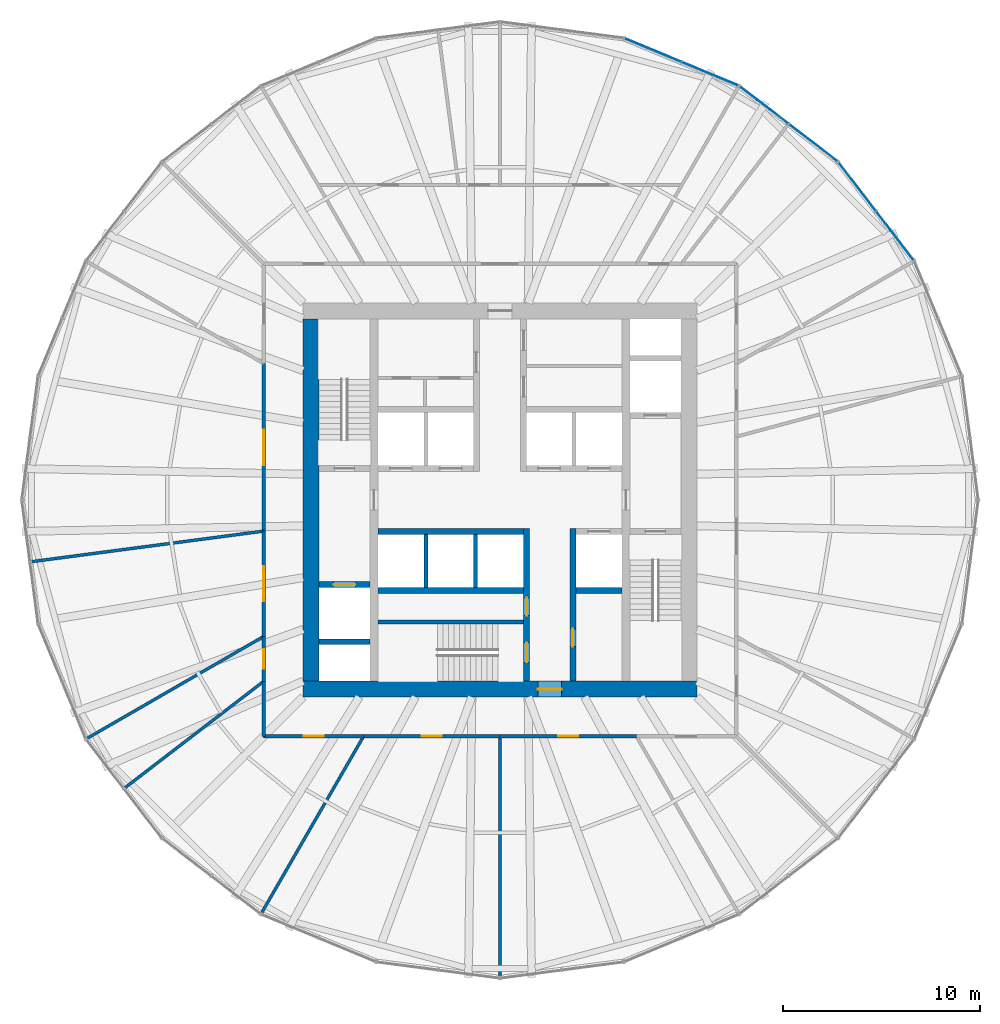
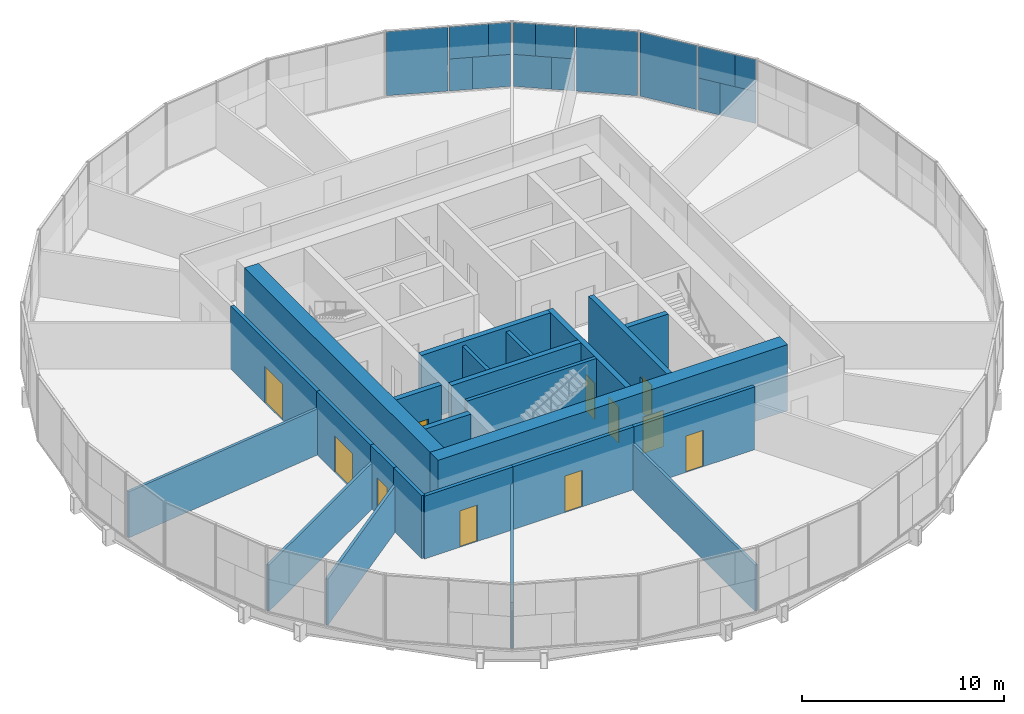
# One storey, part 10 of 13: 24 walls, 15 plates, 11 doors, 11 openings, 3 elements without a shape of their own.
"""IFC4 building model written with IfcOpenShell, lengths in metres."""

from ifc_helpers import new_model, si_unit, direction, frame, frame_2d, origin, origin_2d, place, context, subcontext, project, spatial, rectangle, extrude, material, layer, layer_set, type_object, element, fill, aggregate, save


model = new_model("IFC4")

# Units and contexts
model_context = context("Model", 3, precision=1e-05, world=origin(), true_north=direction((0.0, 1.0)))
body_context = subcontext(model_context, "Body", "Model", "MODEL_VIEW")
ifc_project = project(units=[si_unit("LENGTHUNIT", "METRE"), si_unit("AREAUNIT", "SQUARE_METRE"), si_unit("VOLUMEUNIT", "CUBIC_METRE"), si_unit("PLANEANGLEUNIT", "RADIAN"), si_unit("MASSUNIT", "GRAM", prefix="KILO")], contexts=[model_context])

# Site, building, storey
site_placement = place(None, origin())
site = spatial("IfcSite", under=ifc_project, at=site_placement, CompositionType="ELEMENT")
building_placement = place(site_placement, origin())
building = spatial("IfcBuilding", under=site, at=building_placement, Name="Golbaran Civic Tower", CompositionType="ELEMENT")
storey_placement = place(building_placement, frame((0.0, 0.0, 81.0)))
storey = spatial("IfcBuildingStorey", under=building, at=storey_placement, Name="L19", CompositionType="ELEMENT", Elevation=81.0)

# Curtain wall, plates
ifc_material_1 = material(Name="Aluminium and glass", Category="aluminium")
curtain_wall_type = type_object("IfcCurtainWallType", Name="INNER SKIN CURTAIN WALL", PredefinedType="NOTDEFINED", material=ifc_material_1)
curtain_wall_1_placement = place(storey_placement, origin())
curtain_wall_1 = element("IfcCurtainWall", 1, at=curtain_wall_1_placement, inside=storey, type_object=curtain_wall_type, Name="Inner skin L19 facet 3 CW1", ObjectType="INNER SKIN", PredefinedType="USERDEFINED")
ifc_material_2 = material(Name="Clear insulating glass", Category="glass")
ifc_layer_1 = layer(ifc_material_2, 0.031982421875, Name="Clear insulating glass")
ifc_layer_set_1 = layer_set([ifc_layer_1], Name="Clear insulating glass")
plate_type_1 = type_object("IfcPlateType", Name="INNER SKIN CURTAIN WALL GLAZED PANEL", PredefinedType="CURTAIN_PANEL", material=ifc_layer_set_1)
plate_1_placement = place(storey_placement, frame((19.480712890625, 14.171630859375, 0.06494140625), z_axis=(0.0, 0.0, 1.0), x_axis=(-0.608761429023, 0.793353340281, 0.0)))
plate_1 = element("IfcPlate", 2, at=plate_1_placement, type_object=plate_type_1, Name="CW1 panel 1.1 part 2", PredefinedType="CURTAIN_PANEL", context=body_context, shape_type="SweptSolid", body=[
    extrude(rectangle(XDim=1.1669921875, YDim=0.031982421875, at=origin_2d()), origin(), (0.0, 0.0, 1.0), 1.93505859375),
])
plate_2_placement = place(storey_placement, frame((19.721435546875, 13.85791015625, 2.0), z_axis=(0.0, 0.0, 1.0), x_axis=(-0.608761429023, 0.793353340281, 0.0)))
plate_2 = element("IfcPlate", 3, at=plate_2_placement, type_object=plate_type_1, Name="CW1 panel 1.1 part 4", PredefinedType="CURTAIN_PANEL", context=body_context, shape_type="SweptSolid", body=[
    extrude(rectangle(XDim=1.9580078125, YDim=0.031982421875, at=origin_2d()), origin(), (0.0, 0.0, 1.0), 1.93505859375),
])
plate_3_placement = place(storey_placement, frame((18.150634765625, 15.905029296875, 0.06494140625), z_axis=(0.0, 0.0, 1.0), x_axis=(-0.608761429023, 0.793353340281, 0.0)))
plate_3 = element("IfcPlate", 4, at=plate_3_placement, type_object=plate_type_1, Name="CW1 panel 2.1", PredefinedType="CURTAIN_PANEL", context=body_context, shape_type="SweptSolid", body=[
    extrude(rectangle(XDim=3.072998046875, YDim=0.031982421875, at=origin_2d()), origin(), (0.0, 0.0, 1.0), 3.8701171875),
])

curtain_wall_2_placement = place(storey_placement, origin())
curtain_wall_2 = element("IfcCurtainWall", 5, at=curtain_wall_2_placement, inside=storey, type_object=curtain_wall_type, Name="Inner skin L19 facet 4 CW1", ObjectType="INNER SKIN", PredefinedType="USERDEFINED")
plate_4_placement = place(storey_placement, frame((15.905029296875, 18.150634765625, 0.06494140625), z_axis=(0.0, 0.0, 1.0), x_axis=(-0.793353340281, 0.608761429023, 0.0)))
plate_4 = element("IfcPlate", 6, at=plate_4_placement, type_object=plate_type_1, Name="CW1 panel 1.1", PredefinedType="CURTAIN_PANEL", context=body_context, shape_type="SweptSolid", body=[
    extrude(rectangle(XDim=3.072998046875, YDim=0.031982421875, at=origin_2d()), origin(), (0.0, 0.0, 1.0), 3.8701171875),
])
plate_5_placement = place(storey_placement, frame((14.171630859375, 19.480712890625, 0.06494140625), z_axis=(0.0, 0.0, 1.0), x_axis=(-0.793353340281, 0.608761429023, 0.0)))
plate_5 = element("IfcPlate", 7, at=plate_5_placement, type_object=plate_type_1, Name="CW1 panel 2.1 part 1", PredefinedType="CURTAIN_PANEL", context=body_context, shape_type="SweptSolid", body=[
    extrude(rectangle(XDim=1.1669921875, YDim=0.031982421875, at=origin_2d()), origin(), (0.0, 0.0, 1.0), 1.93505859375),
])
plate_6_placement = place(storey_placement, frame((13.85791015625, 19.721435546875, 2.0), z_axis=(0.0, 0.0, 1.0), x_axis=(-0.793353340281, 0.608761429023, 0.0)))
plate_6 = element("IfcPlate", 8, at=plate_6_placement, type_object=plate_type_1, Name="CW1 panel 2.1 part 3", PredefinedType="CURTAIN_PANEL", context=body_context, shape_type="SweptSolid", body=[
    extrude(rectangle(XDim=1.9580078125, YDim=0.031982421875, at=origin_2d()), origin(), (0.0, 0.0, 1.0), 1.93505859375),
])

curtain_wall_3_placement = place(storey_placement, origin())
curtain_wall_3 = element("IfcCurtainWall", 9, at=curtain_wall_3_placement, inside=storey, type_object=curtain_wall_type, Name="Inner skin L19 facet 5 CW1", ObjectType="INNER SKIN", PredefinedType="USERDEFINED")
plate_7_placement = place(storey_placement, frame((9.784912109375, 22.013427734375, 0.06494140625), z_axis=(0.0, 0.0, 1.0), x_axis=(-0.923879532478, 0.382683432446, 0.0)))
plate_7 = element("IfcPlate", 10, at=plate_7_placement, type_object=plate_type_1, Name="CW1 panel 1.1 part 2", PredefinedType="CURTAIN_PANEL", context=body_context, shape_type="SweptSolid", body=[
    extrude(rectangle(XDim=1.1669921875, YDim=0.031982421875, at=origin_2d()), origin(), (0.0, 0.0, 1.0), 1.93505859375),
])
plate_8_placement = place(storey_placement, frame((10.150390625, 21.862060546875, 2.0), z_axis=(0.0, 0.0, 1.0), x_axis=(-0.923879532478, 0.382683432446, 0.0)))
plate_8 = element("IfcPlate", 11, at=plate_8_placement, type_object=plate_type_1, Name="CW1 panel 1.1 part 4", PredefinedType="CURTAIN_PANEL", context=body_context, shape_type="SweptSolid", body=[
    extrude(rectangle(XDim=1.9580078125, YDim=0.031982421875, at=origin_2d()), origin(), (0.0, 0.0, 1.0), 1.93505859375),
])
plate_9_placement = place(storey_placement, frame((7.766357421875, 22.849365234375, 0.06494140625), z_axis=(0.0, 0.0, 1.0), x_axis=(-0.923879532478, 0.382683432446, 0.0)))
plate_9 = element("IfcPlate", 12, at=plate_9_placement, type_object=plate_type_1, Name="CW1 panel 2.1", PredefinedType="CURTAIN_PANEL", context=body_context, shape_type="SweptSolid", body=[
    extrude(rectangle(XDim=3.072998046875, YDim=0.031982421875, at=origin_2d()), origin(), (0.0, 0.0, 1.0), 3.8701171875),
])

# Plate
ifc_material_3 = material(Name="Aluminium faced opaque infill panel", Category="aluminium")
ifc_layer_2 = layer(ifc_material_3, 0.031982421875, Name="Aluminium faced opaque infill panel")
ifc_layer_set_2 = layer_set([ifc_layer_2], Name="Aluminium faced opaque infill panel")
plate_type_2 = type_object("IfcPlateType", Name="INNER SKIN CURTAIN WALL OPAQUE INFILL PANEL", PredefinedType="CURTAIN_PANEL", material=ifc_layer_set_2)
plate_10_placement = place(storey_placement, frame((20.416015625, 12.95263671875, 0.06494140625), z_axis=(0.0, 0.0, 1.0), x_axis=(-0.608761429023, 0.793353340281, 0.0)))
plate_10 = element("IfcPlate", 13, at=plate_10_placement, type_object=plate_type_2, Name="CW1 infill panel 1.1 part 1", PredefinedType="CURTAIN_PANEL", context=body_context, shape_type="SweptSolid", body=[
    extrude(rectangle(XDim=1.906005859375, YDim=0.031982421875, at=origin_2d()), origin(), (0.0, 0.0, 1.0), 1.93505859375),
])

plate_11_placement = place(storey_placement, frame((20.65673828125, 12.638916015625, 2.0), z_axis=(0.0, 0.0, 1.0), x_axis=(-0.608761429023, 0.793353340281, 0.0)))
plate_11 = element("IfcPlate", 14, at=plate_11_placement, type_object=plate_type_2, Name="CW1 infill panel 1.1 part 3", PredefinedType="CURTAIN_PANEL", context=body_context, shape_type="SweptSolid", body=[
    extrude(rectangle(XDim=1.114990234375, YDim=0.031982421875, at=origin_2d()), origin(), (0.0, 0.0, 1.0), 1.93505859375),
])

aggregate(curtain_wall_1, [plate_10, plate_1, plate_11, plate_2, plate_3])

plate_12_placement = place(storey_placement, frame((12.95263671875, 20.416015625, 0.06494140625), z_axis=(0.0, 0.0, 1.0), x_axis=(-0.793353340281, 0.608761429023, 0.0)))
plate_12 = element("IfcPlate", 15, at=plate_12_placement, type_object=plate_type_2, Name="CW1 infill panel 2.1 part 2", PredefinedType="CURTAIN_PANEL", context=body_context, shape_type="SweptSolid", body=[
    extrude(rectangle(XDim=1.906005859375, YDim=0.031982421875, at=origin_2d()), origin(), (0.0, 0.0, 1.0), 1.93505859375),
])

plate_13_placement = place(storey_placement, frame((12.638916015625, 20.65673828125, 2.0), z_axis=(0.0, 0.0, 1.0), x_axis=(-0.793353340281, 0.608761429023, 0.0)))
plate_13 = element("IfcPlate", 16, at=plate_13_placement, type_object=plate_type_2, Name="CW1 infill panel 2.1 part 4", PredefinedType="CURTAIN_PANEL", context=body_context, shape_type="SweptSolid", body=[
    extrude(rectangle(XDim=1.114990234375, YDim=0.031982421875, at=origin_2d()), origin(), (0.0, 0.0, 1.0), 1.93505859375),
])

aggregate(curtain_wall_2, [plate_4, plate_5, plate_12, plate_6, plate_13])

plate_14_placement = place(storey_placement, frame((11.20458984375, 21.42529296875, 0.06494140625), z_axis=(0.0, 0.0, 1.0), x_axis=(-0.923879532478, 0.382683432446, 0.0)))
plate_14 = element("IfcPlate", 17, at=plate_14_placement, type_object=plate_type_2, Name="CW1 infill panel 1.1 part 1", PredefinedType="CURTAIN_PANEL", context=body_context, shape_type="SweptSolid", body=[
    extrude(rectangle(XDim=1.906005859375, YDim=0.031982421875, at=origin_2d()), origin(), (0.0, 0.0, 1.0), 1.93505859375),
])

plate_15_placement = place(storey_placement, frame((11.56982421875, 21.27392578125, 2.0), z_axis=(0.0, 0.0, 1.0), x_axis=(-0.923879532478, 0.382683432446, 0.0)))
plate_15 = element("IfcPlate", 18, at=plate_15_placement, type_object=plate_type_2, Name="CW1 infill panel 1.1 part 3", PredefinedType="CURTAIN_PANEL", context=body_context, shape_type="SweptSolid", body=[
    extrude(rectangle(XDim=1.114990234375, YDim=0.031982421875, at=origin_2d()), origin(), (0.0, 0.0, 1.0), 1.93505859375),
])

aggregate(curtain_wall_3, [plate_14, plate_7, plate_15, plate_8, plate_9])

# Wall, opening, door
ifc_material_4 = material(Name="Concrete C50/60", Category="concrete")
ifc_layer_3 = layer(ifc_material_4, 0.800048828125, Name="Concrete C50/60")
ifc_layer_set_3 = layer_set([ifc_layer_3], Name="Concrete C50/60")
wall_type_1 = type_object("IfcWallType", Name="CORE WALL CONCRETE 800", PredefinedType="SOLIDWALL", material=ifc_layer_set_3)
wall_1_placement = place(storey_placement, frame((10.0, -9.60009765625, 0.0), z_axis=(0.0, 0.0, 1.0), x_axis=(-1.0, 0.0, 0.0)))
wall_1 = element("IfcWall", 19, at=wall_1_placement, inside=storey, type_object=wall_type_1, Name="Core wall CS L19", PredefinedType="SOLIDWALL", context=body_context, shape_type="SweptSolid", body=[
    extrude(rectangle(XDim=20.0, YDim=0.800048828125, at=frame_2d((10.0, 0.0))), origin(), (0.0, 0.0, 1.0), 4.0),
])
opening_1_placement = place(wall_1_placement, frame((6.875, 0.0, 0.0)))
opening_1 = element("IfcOpeningElement", 20, at=opening_1_placement, cuts=wall_1, Name="Opening L19.CS", PredefinedType="OPENING", context=body_context, shape_type="SweptSolid", body=[
    extrude(rectangle(XDim=1.199951171875, YDim=2.199951171875, at=frame_2d((0.60009765625, 1.10009765625))), frame((0.0, 0.409912109375, 0.0), z_axis=(0.0, -1.0, 0.0), x_axis=(1.0, 0.0, 0.0)), (0.0, 0.0, 1.0), 0.820068359375),
])
ifc_material_5 = material(Name="Timber door set in steel frame", Category="steel")
door_type_1 = type_object("IfcDoorType", Name="CORE DOOR 1200x2200", OperationType="DOUBLE_DOOR_SINGLE_SWING", PredefinedType="DOOR", material=ifc_material_5)
door_1_placement = place(opening_1_placement, origin())
door_1 = element("IfcDoor", 21, at=door_1_placement, inside=storey, type_object=door_type_1, Name="Core door south", OperationType="DOUBLE_DOOR_SINGLE_SWING", OverallHeight=2.199951171875, OverallWidth=1.199951171875, PredefinedType="DOOR", context=body_context, shape_type="SweptSolid", body=[
    extrude(rectangle(XDim=1.199951171875, YDim=2.199951171875, at=frame_2d((0.60009765625, 1.10009765625))), frame((0.0, 0.02490234375, 0.0), z_axis=(0.0, -1.0, 0.0), x_axis=(1.0, 0.0, 0.0)), (0.0, 0.0, 1.0), 0.050048828125),
])
fill(opening_1, door_1)

# Wall
wall_2_placement = place(storey_placement, frame((-9.60009765625, 9.199951171875, 0.0), z_axis=(0.0, 0.0, 1.0), x_axis=(0.0, -1.0, 0.0)))
element("IfcWall", 22, at=wall_2_placement, inside=storey, type_object=wall_type_1, Name="Core wall CW L19", PredefinedType="SOLIDWALL", context=body_context, shape_type="SweptSolid", body=[
    extrude(rectangle(XDim=18.39990234375, YDim=0.800048828125, at=frame_2d((9.199951171875, 0.0))), origin(), (0.0, 0.0, 1.0), 4.0),
])

# Wall, opening, door
ifc_material_6 = material(Name="Gypsum board on steel studs, fire-rated", Category="steel")
ifc_layer_4 = layer(ifc_material_6, 0.199951171875, Name="Gypsum board on steel studs, fire-rated")
ifc_layer_set_4 = layer_set([ifc_layer_4], Name="Gypsum board on steel studs, fire-rated")
wall_type_2 = type_object("IfcWallType", Name="CORRIDOR WALL 200", PredefinedType="PARTITIONING", material=ifc_layer_set_4)
wall_3_placement = place(storey_placement, frame((-12.0, 6.92822265625, 0.0), z_axis=(0.0, 0.0, 1.0), x_axis=(0.0, -1.0, 0.0)))
wall_3 = element("IfcWall", 23, at=wall_3_placement, inside=storey, type_object=wall_type_2, Name="Corridor wall L19", PredefinedType="PARTITIONING", context=body_context, shape_type="SweptSolid", body=[
    extrude(rectangle(XDim=8.508056640625, YDim=0.199951171875, at=frame_2d((4.25390625, 0.0))), origin(), (0.0, 0.0, 1.0), 3.800048828125),
])
opening_2_placement = place(wall_3_placement, frame((3.35400390625, 0.0, 0.0)))
opening_2 = element("IfcOpeningElement", 24, at=opening_2_placement, cuts=wall_3, Name="Opening L19.11", PredefinedType="OPENING", context=body_context, shape_type="SweptSolid", body=[
    extrude(rectangle(XDim=1.800048828125, YDim=2.199951171875, at=frame_2d((0.89990234375, 1.10009765625))), frame((0.0, 0.10986328125, 0.0), z_axis=(0.0, -1.0, 0.0), x_axis=(1.0, 0.0, 0.0)), (0.0, 0.0, 1.0), 0.219970703125),
])
door_type_2 = type_object("IfcDoorType", Name="OFFICE DOUBLE DOOR 1800x2200", OperationType="DOUBLE_DOOR_SINGLE_SWING", PredefinedType="DOOR", material=ifc_material_5)
door_2_placement = place(opening_2_placement, origin())
door_2 = element("IfcDoor", 25, at=door_2_placement, inside=storey, type_object=door_type_2, Name="Open Office door L19", OperationType="DOUBLE_DOOR_SINGLE_SWING", OverallHeight=2.199951171875, OverallWidth=1.800048828125, PredefinedType="DOOR", context=body_context, shape_type="SweptSolid", body=[
    extrude(rectangle(XDim=1.800048828125, YDim=2.199951171875, at=frame_2d((0.89990234375, 1.10009765625))), frame((0.0, 0.02490234375, 0.0), z_axis=(0.0, -1.0, 0.0), x_axis=(1.0, 0.0, 0.0)), (0.0, 0.0, 1.0), 0.050048828125),
])
fill(opening_2, door_2)

wall_4_placement = place(storey_placement, frame((-12.0, -1.579833984375, 0.0), z_axis=(0.0, 0.0, 1.0), x_axis=(0.0, -1.0, 0.0)))
wall_4 = element("IfcWall", 26, at=wall_4_placement, inside=storey, type_object=wall_type_2, Name="Corridor wall L19", PredefinedType="PARTITIONING", context=body_context, shape_type="SweptSolid", body=[
    extrude(rectangle(XDim=5.348388671875, YDim=0.199951171875, at=frame_2d((2.67431640625, 0.0))), origin(), (0.0, 0.0, 1.0), 3.800048828125),
])
opening_3_placement = place(wall_4_placement, frame((1.774169921875, 0.0, 0.0)))
opening_3 = element("IfcOpeningElement", 27, at=opening_3_placement, cuts=wall_4, Name="Opening L19.12", PredefinedType="OPENING", context=body_context, shape_type="SweptSolid", body=[
    extrude(rectangle(XDim=1.800048828125, YDim=2.199951171875, at=frame_2d((0.89990234375, 1.10009765625))), frame((0.0, 0.10986328125, 0.0), z_axis=(0.0, -1.0, 0.0), x_axis=(1.0, 0.0, 0.0)), (0.0, 0.0, 1.0), 0.219970703125),
])
door_3_placement = place(opening_3_placement, origin())
door_3 = element("IfcDoor", 28, at=door_3_placement, inside=storey, type_object=door_type_2, Name="Open Office door L19", OperationType="DOUBLE_DOOR_SINGLE_SWING", OverallHeight=2.199951171875, OverallWidth=1.800048828125, PredefinedType="DOOR", context=body_context, shape_type="SweptSolid", body=[
    extrude(rectangle(XDim=1.800048828125, YDim=2.199951171875, at=frame_2d((0.89990234375, 1.10009765625))), frame((0.0, 0.02490234375, 0.0), z_axis=(0.0, -1.0, 0.0), x_axis=(1.0, 0.0, 0.0)), (0.0, 0.0, 1.0), 0.050048828125),
])
fill(opening_3, door_3)

wall_5_placement = place(storey_placement, frame((-12.0, -6.92822265625, 0.0), z_axis=(0.0, 0.0, 1.0), x_axis=(0.0, -1.0, 0.0)))
wall_5 = element("IfcWall", 29, at=wall_5_placement, inside=storey, type_object=wall_type_2, Name="Corridor wall L19", PredefinedType="PARTITIONING", context=body_context, shape_type="SweptSolid", body=[
    extrude(rectangle(XDim=2.27978515625, YDim=0.199951171875, at=frame_2d((1.139892578125, 0.0))), origin(), (0.0, 0.0, 1.0), 3.800048828125),
])
opening_4_placement = place(wall_5_placement, frame((0.639892578125, 0.0, 0.0)))
opening_4 = element("IfcOpeningElement", 30, at=opening_4_placement, cuts=wall_5, Name="Opening L19.13", PredefinedType="OPENING", context=body_context, shape_type="SweptSolid", body=[
    extrude(rectangle(XDim=1.0, YDim=2.199951171875, at=frame_2d((0.5, 1.10009765625))), frame((0.0, 0.10986328125, 0.0), z_axis=(0.0, -1.0, 0.0), x_axis=(1.0, 0.0, 0.0)), (0.0, 0.0, 1.0), 0.219970703125),
])
door_type_3 = type_object("IfcDoorType", Name="OFFICE DOOR 1000x2200", OperationType="SINGLE_SWING_LEFT", PredefinedType="DOOR", material=ifc_material_5)
door_4_placement = place(opening_4_placement, origin())
door_4 = element("IfcDoor", 31, at=door_4_placement, inside=storey, type_object=door_type_3, Name="Store door L19", OperationType="SINGLE_SWING_RIGHT", OverallHeight=2.199951171875, OverallWidth=1.0, PredefinedType="DOOR", context=body_context, shape_type="SweptSolid", body=[
    extrude(rectangle(XDim=1.0, YDim=2.199951171875, at=frame_2d((0.5, 1.10009765625))), frame((0.0, 0.02490234375, 0.0), z_axis=(0.0, -1.0, 0.0), x_axis=(1.0, 0.0, 0.0)), (0.0, 0.0, 1.0), 0.050048828125),
])
fill(opening_4, door_4)

# Wall
wall_6_placement = place(storey_placement, frame((-12.0, -9.2080078125, 0.0), z_axis=(0.0, 0.0, 1.0), x_axis=(0.0, -1.0, 0.0)))
element("IfcWall", 32, at=wall_6_placement, inside=storey, type_object=wall_type_2, Name="Corridor wall L19", PredefinedType="PARTITIONING", context=body_context, shape_type="SweptSolid", body=[
    extrude(rectangle(XDim=2.7919921875, YDim=0.199951171875, at=frame_2d((1.39599609375, 0.0))), origin(), (0.0, 0.0, 1.0), 3.800048828125),
])

# Wall, opening, door
wall_7_placement = place(storey_placement, frame((-12.0, -12.0, 0.0), z_axis=(0.0, 0.0, 1.0), x_axis=(1.0, 0.0, 0.0)))
wall_7 = element("IfcWall", 33, at=wall_7_placement, inside=storey, type_object=wall_type_2, Name="Corridor wall L19", PredefinedType="PARTITIONING", context=body_context, shape_type="SweptSolid", body=[
    extrude(rectangle(XDim=5.07177734375, YDim=0.199951171875, at=frame_2d((2.535888671875, 0.0))), origin(), (0.0, 0.0, 1.0), 3.800048828125),
])
opening_5_placement = place(wall_7_placement, frame((2.035888671875, 0.0, 0.0)))
opening_5 = element("IfcOpeningElement", 34, at=opening_5_placement, cuts=wall_7, Name="Opening L19.14", PredefinedType="OPENING", context=body_context, shape_type="SweptSolid", body=[
    extrude(rectangle(XDim=1.0, YDim=2.199951171875, at=frame_2d((0.5, 1.10009765625))), frame((0.0, 0.10986328125, 0.0), z_axis=(0.0, -1.0, 0.0), x_axis=(1.0, 0.0, 0.0)), (0.0, 0.0, 1.0), 0.219970703125),
])
door_5_placement = place(opening_5_placement, origin())
door_5 = element("IfcDoor", 35, at=door_5_placement, inside=storey, type_object=door_type_3, Name="Print and Copy Room door L19", OperationType="SINGLE_SWING_LEFT", OverallHeight=2.199951171875, OverallWidth=1.0, PredefinedType="DOOR", context=body_context, shape_type="SweptSolid", body=[
    extrude(rectangle(XDim=1.0, YDim=2.199951171875, at=frame_2d((0.5, 1.10009765625))), frame((0.0, 0.02490234375, 0.0), z_axis=(0.0, -1.0, 0.0), x_axis=(1.0, 0.0, 0.0)), (0.0, 0.0, 1.0), 0.050048828125),
])
fill(opening_5, door_5)

wall_8_placement = place(storey_placement, frame((-6.92822265625, -12.0, 0.0), z_axis=(0.0, 0.0, 1.0), x_axis=(1.0, 0.0, 0.0)))
wall_8 = element("IfcWall", 36, at=wall_8_placement, inside=storey, type_object=wall_type_2, Name="Corridor wall L19", PredefinedType="PARTITIONING", context=body_context, shape_type="SweptSolid", body=[
    extrude(rectangle(XDim=6.92822265625, YDim=0.199951171875, at=frame_2d((3.464111328125, 0.0))), origin(), (0.0, 0.0, 1.0), 3.800048828125),
])
opening_6_placement = place(wall_8_placement, frame((2.964111328125, 0.0, 0.0)))
opening_6 = element("IfcOpeningElement", 37, at=opening_6_placement, cuts=wall_8, Name="Opening L19.15", PredefinedType="OPENING", context=body_context, shape_type="SweptSolid", body=[
    extrude(rectangle(XDim=1.0, YDim=2.199951171875, at=frame_2d((0.5, 1.10009765625))), frame((0.0, 0.10986328125, 0.0), z_axis=(0.0, -1.0, 0.0), x_axis=(1.0, 0.0, 0.0)), (0.0, 0.0, 1.0), 0.219970703125),
])
door_6_placement = place(opening_6_placement, origin())
door_6 = element("IfcDoor", 38, at=door_6_placement, inside=storey, type_object=door_type_3, Name="Meeting Room door L19", OperationType="SINGLE_SWING_LEFT", OverallHeight=2.199951171875, OverallWidth=1.0, PredefinedType="DOOR", context=body_context, shape_type="SweptSolid", body=[
    extrude(rectangle(XDim=1.0, YDim=2.199951171875, at=frame_2d((0.5, 1.10009765625))), frame((0.0, 0.02490234375, 0.0), z_axis=(0.0, -1.0, 0.0), x_axis=(1.0, 0.0, 0.0)), (0.0, 0.0, 1.0), 0.050048828125),
])
fill(opening_6, door_6)

wall_9_placement = place(storey_placement, frame((0.0, -12.0, 0.0), z_axis=(0.0, 0.0, 1.0), x_axis=(1.0, 0.0, 0.0)))
wall_9 = element("IfcWall", 39, at=wall_9_placement, inside=storey, type_object=wall_type_2, Name="Corridor wall L19", PredefinedType="PARTITIONING", context=body_context, shape_type="SweptSolid", body=[
    extrude(rectangle(XDim=6.92822265625, YDim=0.199951171875, at=frame_2d((3.464111328125, 0.0))), origin(), (0.0, 0.0, 1.0), 3.800048828125),
])
opening_7_placement = place(wall_9_placement, frame((2.964111328125, 0.0, 0.0)))
opening_7 = element("IfcOpeningElement", 40, at=opening_7_placement, cuts=wall_9, Name="Opening L19.16", PredefinedType="OPENING", context=body_context, shape_type="SweptSolid", body=[
    extrude(rectangle(XDim=1.0, YDim=2.199951171875, at=frame_2d((0.5, 1.10009765625))), frame((0.0, 0.10986328125, 0.0), z_axis=(0.0, -1.0, 0.0), x_axis=(1.0, 0.0, 0.0)), (0.0, 0.0, 1.0), 0.219970703125),
])
door_7_placement = place(opening_7_placement, origin())
door_7 = element("IfcDoor", 41, at=door_7_placement, inside=storey, type_object=door_type_3, Name="Interview Room door L19", OperationType="SINGLE_SWING_LEFT", OverallHeight=2.199951171875, OverallWidth=1.0, PredefinedType="DOOR", context=body_context, shape_type="SweptSolid", body=[
    extrude(rectangle(XDim=1.0, YDim=2.199951171875, at=frame_2d((0.5, 1.10009765625))), frame((0.0, 0.02490234375, 0.0), z_axis=(0.0, -1.0, 0.0), x_axis=(1.0, 0.0, 0.0)), (0.0, 0.0, 1.0), 0.050048828125),
])
fill(opening_7, door_7)

# Walls
ifc_material_7 = material(Name="Concrete block", Category="concrete")
ifc_layer_5 = layer(ifc_material_7, 0.199951171875, Name="Concrete block")
ifc_layer_set_5 = layer_set([ifc_layer_5], Name="Concrete block")
wall_type_3 = type_object("IfcWallType", Name="LIFT SEPARATOR WALL 200", PredefinedType="SOLIDWALL", material=ifc_layer_set_5)
for number, where, z_axis, x_axis, name in (
    (42, (-3.75, -1.75, 0.0), (0.0, 0.0, 1.0), (0.0, -1.0, 0.0), "Core partition SSW L19"),
    (43, (-1.25, -1.75, 0.0), (0.0, 0.0, 1.0), (0.0, -1.0, 0.0), "Core partition SSM L19"),
):
    element("IfcWall", number, at=place(storey_placement, frame(where, z_axis=z_axis, x_axis=x_axis)), inside=storey, type_object=wall_type_3, Name=name, PredefinedType="SOLIDWALL", context=body_context, shape_type="SweptSolid", body=[
        extrude(rectangle(XDim=2.699951171875, YDim=0.199951171875, at=frame_2d((1.35009765625, 0.0))), origin(), (0.0, 0.0, 1.0), 3.75),
    ])
ifc_material_8 = material(Name="Gypsum board on steel studs", Category="steel")
ifc_layer_6 = layer(ifc_material_8, 0.14990234375, Name="Gypsum board on steel studs")
ifc_layer_set_6 = layer_set([ifc_layer_6], Name="Gypsum board on steel studs")
wall_type_4 = type_object("IfcWallType", Name="OFFICE PARTITION 150", PredefinedType="PARTITIONING", material=ifc_layer_set_6)
wall_10_placement = place(storey_placement, frame((-12.0, -1.579833984375, 0.0), z_axis=(0.0, 0.0, 1.0), x_axis=(-0.991444996724, -0.130525164133, 0.0)))
element("IfcWall", 44, at=wall_10_placement, inside=storey, type_object=wall_type_4, Name="Partition 187.5 L19", PredefinedType="PARTITIONING", context=body_context, shape_type="SweptSolid", body=[
    extrude(rectangle(XDim=11.888671875, YDim=0.14990234375, at=frame_2d((5.9443359375, 0.0))), origin(), (0.0, 0.0, 1.0), 2.7900390625),
])
wall_11_placement = place(storey_placement, frame((-12.0, -6.92822265625, 0.0), z_axis=(0.0, 0.0, 1.0), x_axis=(-0.866023632182, -0.500003068493, 0.0)))
element("IfcWall", 45, at=wall_11_placement, inside=storey, type_object=wall_type_4, Name="Partition 210 L19", PredefinedType="PARTITIONING", context=body_context, shape_type="SweptSolid", body=[
    extrude(rectangle(XDim=10.3427734375, YDim=0.14990234375, at=frame_2d((5.17138671875, 0.0))), origin(), (0.0, 0.0, 1.0), 2.7900390625),
])
wall_12_placement = place(storey_placement, frame((-12.0, -9.2080078125, 0.0), z_axis=(0.0, 0.0, 1.0), x_axis=(-0.793356334848, -0.608757526406, 0.0)))
element("IfcWall", 46, at=wall_12_placement, inside=storey, type_object=wall_type_4, Name="Partition 217.5 L19", PredefinedType="PARTITIONING", context=body_context, shape_type="SweptSolid", body=[
    extrude(rectangle(XDim=8.866455078125, YDim=0.14990234375, at=frame_2d((4.43310546875, 0.0))), origin(), (0.0, 0.0, 1.0), 2.7900390625),
])
wall_13_placement = place(storey_placement, frame((-6.92822265625, -12.0, 0.0), z_axis=(0.0, 0.0, 1.0), x_axis=(-0.500003068493, -0.866023632182, 0.0)))
element("IfcWall", 47, at=wall_13_placement, inside=storey, type_object=wall_type_4, Name="Partition 240 L19", PredefinedType="PARTITIONING", context=body_context, shape_type="SweptSolid", body=[
    extrude(rectangle(XDim=10.3427734375, YDim=0.14990234375, at=frame_2d((5.17138671875, 0.0))), origin(), (0.0, 0.0, 1.0), 2.7900390625),
])
wall_14_placement = place(storey_placement, frame((0.0, -12.0, 0.0), z_axis=(0.0, 0.0, 1.0), x_axis=(0.0, -1.0, 0.0)))
element("IfcWall", 48, at=wall_14_placement, inside=storey, type_object=wall_type_4, Name="Partition 270 L19", PredefinedType="PARTITIONING", context=body_context, shape_type="SweptSolid", body=[
    extrude(rectangle(XDim=12.19921875, YDim=0.14990234375, at=frame_2d((6.099609375, 0.0))), origin(), (0.0, 0.0, 1.0), 2.7900390625),
])
ifc_layer_7 = layer(ifc_material_4, 0.199951171875, Name="Concrete C50/60")
ifc_layer_set_7 = layer_set([ifc_layer_7], Name="Concrete C50/60")
wall_type_5 = type_object("IfcWallType", Name="SHAFT WALL CONCRETE 200", PredefinedType="SOLIDWALL", material=ifc_layer_set_7)
wall_15_placement = place(storey_placement, frame((-6.199951171875, -6.199951171875, 0.0), z_axis=(0.0, 0.0, 1.0), x_axis=(1.0, 0.0, 0.0)))
element("IfcWall", 49, at=wall_15_placement, inside=storey, type_object=wall_type_5, Name="Core wall S3N L19", PredefinedType="SOLIDWALL", context=body_context, shape_type="SweptSolid", body=[
    extrude(rectangle(XDim=7.39990234375, YDim=0.199951171875, at=frame_2d((3.699951171875, 0.0))), origin(), (0.0, 0.0, 1.0), 4.0),
])
ifc_layer_8 = layer(ifc_material_4, 0.300048828125, Name="Concrete C50/60")
ifc_layer_set_8 = layer_set([ifc_layer_8], Name="Concrete C50/60")
wall_type_6 = type_object("IfcWallType", Name="SHAFT WALL CONCRETE 300", PredefinedType="SOLIDWALL", material=ifc_layer_set_8)
for number, where, z_axis, x_axis, name in (
    (50, (-6.199951171875, -1.60009765625, 0.0), (0.0, 0.0, 1.0), (1.0, 0.0, 0.0), "Core wall FSW L19"),
    (51, (-6.199951171875, -4.60009765625, 0.0), (0.0, 0.0, 1.0), (1.0, 0.0, 0.0), "Core wall BSW L19"),
):
    element("IfcWall", number, at=place(storey_placement, frame(where, z_axis=z_axis, x_axis=x_axis)), inside=storey, type_object=wall_type_6, Name=name, PredefinedType="SOLIDWALL", context=body_context, shape_type="SweptSolid", body=[
        extrude(rectangle(XDim=7.39990234375, YDim=0.300048828125, at=frame_2d((3.699951171875, 0.0))), origin(), (0.0, 0.0, 1.0), 4.0),
    ])
wall_16_placement = place(storey_placement, frame((3.85009765625, -4.60009765625, 0.0), z_axis=(0.0, 0.0, 1.0), x_axis=(1.0, 0.0, 0.0)))
element("IfcWall", 52, at=wall_16_placement, inside=storey, type_object=wall_type_6, Name="Core wall BSE L19", PredefinedType="SOLIDWALL", context=body_context, shape_type="SweptSolid", body=[
    extrude(rectangle(XDim=2.349853515625, YDim=0.300048828125, at=frame_2d((1.1748046875, 0.0))), origin(), (0.0, 0.0, 1.0), 4.0),
])

# Wall, openings, doors
wall_17_placement = place(storey_placement, frame((1.35009765625, -1.449951171875, 0.0), z_axis=(0.0, 0.0, 1.0), x_axis=(0.0, -1.0, 0.0)))
wall_17 = element("IfcWall", 53, at=wall_17_placement, inside=storey, type_object=wall_type_6, Name="Core wall PSW L19", PredefinedType="SOLIDWALL", context=body_context, shape_type="SweptSolid", body=[
    extrude(rectangle(XDim=7.75, YDim=0.300048828125, at=frame_2d((3.875, 0.0))), origin(), (0.0, 0.0, 1.0), 4.0),
])
opening_8_placement = place(wall_17_placement, frame((5.800048828125, 0.0, 0.0)))
opening_8 = element("IfcOpeningElement", 54, at=opening_8_placement, cuts=wall_17, Name="Opening L19.S3", PredefinedType="OPENING", context=body_context, shape_type="SweptSolid", body=[
    extrude(rectangle(XDim=1.0, YDim=2.199951171875, at=frame_2d((0.5, 1.10009765625))), frame((0.0, 0.159912109375, 0.0), z_axis=(0.0, -1.0, 0.0), x_axis=(1.0, 0.0, 0.0)), (0.0, 0.0, 1.0), 0.320068359375),
])
opening_9_placement = place(wall_17_placement, frame((3.52490234375, 0.0, 0.0)))
opening_9 = element("IfcOpeningElement", 55, at=opening_9_placement, cuts=wall_17, Name="Opening L19.RE", PredefinedType="OPENING", context=body_context, shape_type="SweptSolid", body=[
    extrude(rectangle(XDim=0.89990234375, YDim=2.199951171875, at=frame_2d((0.449951171875, 1.10009765625))), frame((0.0, 0.159912109375, 0.0), z_axis=(0.0, -1.0, 0.0), x_axis=(1.0, 0.0, 0.0)), (0.0, 0.0, 1.0), 0.320068359375),
])
door_type_4 = type_object("IfcDoorType", Name="RISER DOOR 900x2200", OperationType="SINGLE_SWING_LEFT", PredefinedType="DOOR", material=ifc_material_5)
door_8_placement = place(opening_9_placement, origin())
door_8 = element("IfcDoor", 56, at=door_8_placement, inside=storey, type_object=door_type_4, Name="Electrical riser door", OperationType="SINGLE_SWING_RIGHT", OverallHeight=2.199951171875, OverallWidth=0.89990234375, PredefinedType="DOOR", context=body_context, shape_type="SweptSolid", body=[
    extrude(rectangle(XDim=0.89990234375, YDim=2.199951171875, at=frame_2d((0.449951171875, 1.10009765625))), frame((0.0, 0.02490234375, 0.0), z_axis=(0.0, -1.0, 0.0), x_axis=(1.0, 0.0, 0.0)), (0.0, 0.0, 1.0), 0.050048828125),
])
fill(opening_9, door_8)
door_type_5 = type_object("IfcDoorType", Name="STAIR DOOR 1000x2200", OperationType="SINGLE_SWING_LEFT", PredefinedType="DOOR", material=ifc_material_5)
door_9_placement = place(opening_8_placement, origin())
door_9 = element("IfcDoor", 57, at=door_9_placement, inside=storey, type_object=door_type_5, Name="Stair S3 door", OperationType="SINGLE_SWING_RIGHT", OverallHeight=2.199951171875, OverallWidth=1.0, PredefinedType="DOOR", context=body_context, shape_type="SweptSolid", body=[
    extrude(rectangle(XDim=1.0, YDim=2.199951171875, at=frame_2d((0.5, 1.10009765625))), frame((0.0, 0.02490234375, 0.0), z_axis=(0.0, -1.0, 0.0), x_axis=(1.0, 0.0, 0.0)), (0.0, 0.0, 1.0), 0.050048828125),
])
fill(opening_8, door_9)

# Wall, opening, door
wall_18_placement = place(storey_placement, frame((3.699951171875, -1.449951171875, 0.0), z_axis=(0.0, 0.0, 1.0), x_axis=(0.0, -1.0, 0.0)))
wall_18 = element("IfcWall", 58, at=wall_18_placement, inside=storey, type_object=wall_type_6, Name="Core wall PSE L19", PredefinedType="SOLIDWALL", context=body_context, shape_type="SweptSolid", body=[
    extrude(rectangle(XDim=7.75, YDim=0.300048828125, at=frame_2d((3.875, 0.0))), origin(), (0.0, 0.0, 1.0), 4.0),
])
opening_10_placement = place(wall_18_placement, frame((5.10009765625, 0.0, 0.0)))
opening_10 = element("IfcOpeningElement", 59, at=opening_10_placement, cuts=wall_18, Name="Opening L19.RM", PredefinedType="OPENING", context=body_context, shape_type="SweptSolid", body=[
    extrude(rectangle(XDim=0.89990234375, YDim=2.199951171875, at=frame_2d((0.449951171875, 1.10009765625))), frame((0.0, 0.159912109375, 0.0), z_axis=(0.0, -1.0, 0.0), x_axis=(1.0, 0.0, 0.0)), (0.0, 0.0, 1.0), 0.320068359375),
])
door_10_placement = place(opening_10_placement, origin())
door_10 = element("IfcDoor", 60, at=door_10_placement, inside=storey, type_object=door_type_4, Name="Mechanical riser door", OperationType="SINGLE_SWING_RIGHT", OverallHeight=2.199951171875, OverallWidth=0.89990234375, PredefinedType="DOOR", context=body_context, shape_type="SweptSolid", body=[
    extrude(rectangle(XDim=0.89990234375, YDim=2.199951171875, at=frame_2d((0.449951171875, 1.10009765625))), frame((0.0, 0.02490234375, 0.0), z_axis=(0.0, -1.0, 0.0), x_axis=(1.0, 0.0, 0.0)), (0.0, 0.0, 1.0), 0.050048828125),
])
fill(opening_10, door_10)

wall_19_placement = place(storey_placement, frame((-9.199951171875, -4.300048828125, 0.0), z_axis=(0.0, 0.0, 1.0), x_axis=(1.0, 0.0, 0.0)))
wall_19 = element("IfcWall", 61, at=wall_19_placement, inside=storey, type_object=wall_type_6, Name="Core wall XW2 L19", PredefinedType="SOLIDWALL", context=body_context, shape_type="SweptSolid", body=[
    extrude(rectangle(XDim=2.599853515625, YDim=0.300048828125, at=frame_2d((1.2998046875, 0.0))), origin(), (0.0, 0.0, 1.0), 4.0),
])
opening_11_placement = place(wall_19_placement, frame((0.75, 0.0, 0.0)))
opening_11 = element("IfcOpeningElement", 62, at=opening_11_placement, cuts=wall_19, Name="Opening L19.LD-F1", PredefinedType="OPENING", context=body_context, shape_type="SweptSolid", body=[
    extrude(rectangle(XDim=1.10009765625, YDim=2.199951171875, at=frame_2d((0.550048828125, 1.10009765625))), frame((0.0, 0.159912109375, 0.0), z_axis=(0.0, -1.0, 0.0), x_axis=(1.0, 0.0, 0.0)), (0.0, 0.0, 1.0), 0.320068359375),
])
ifc_material_9 = material(Name="Stainless steel", Category="steel")
door_type_6 = type_object("IfcDoorType", Name="LIFT LANDING DOOR 1100x2200", OperationType="SLIDING_TO_LEFT", PredefinedType="DOOR", material=ifc_material_9)
door_11_placement = place(opening_11_placement, origin())
door_11 = element("IfcDoor", 63, at=door_11_placement, inside=storey, type_object=door_type_6, Name="Lift landing door F1", OperationType="SLIDING_TO_LEFT", OverallHeight=2.199951171875, OverallWidth=1.10009765625, PredefinedType="DOOR", context=body_context, shape_type="SweptSolid", body=[
    extrude(rectangle(XDim=1.10009765625, YDim=2.199951171875, at=frame_2d((0.550048828125, 1.10009765625))), frame((0.0, 0.02490234375, 0.0), z_axis=(0.0, -1.0, 0.0), x_axis=(1.0, 0.0, 0.0)), (0.0, 0.0, 1.0), 0.050048828125),
])
fill(opening_11, door_11)

# Wall
wall_20_placement = place(storey_placement, frame((-9.199951171875, -7.199951171875, 0.0), z_axis=(0.0, 0.0, 1.0), x_axis=(1.0, 0.0, 0.0)))
element("IfcWall", 64, at=wall_20_placement, inside=storey, type_object=wall_type_6, Name="Core wall XW3 L19", PredefinedType="SOLIDWALL", context=body_context, shape_type="SweptSolid", body=[
    extrude(rectangle(XDim=2.599853515625, YDim=0.300048828125, at=frame_2d((1.2998046875, 0.0))), origin(), (0.0, 0.0, 1.0), 4.0),
])

save(model, "model.ifc")
